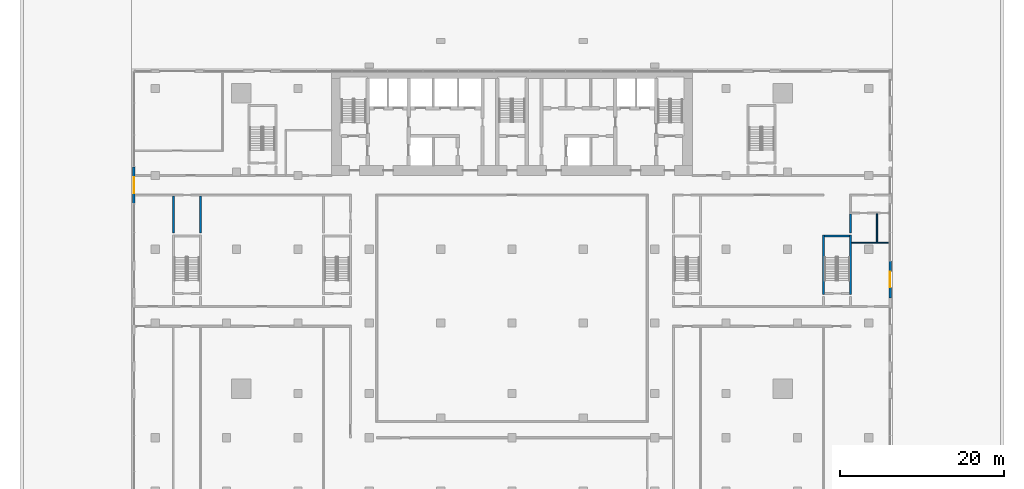
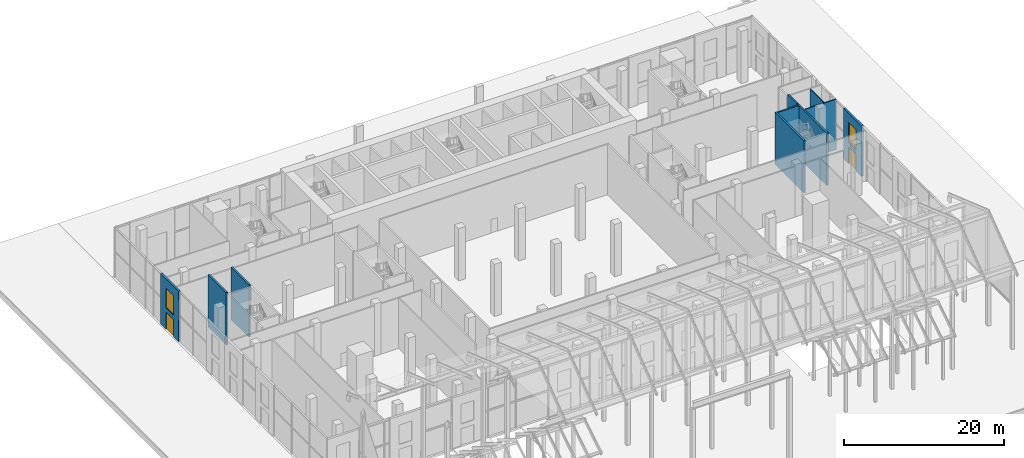
# One storey, part 23 of 31: 10 walls, 2 doors, 2 windows, 4 openings.
"""IFC4 building model written with IfcOpenShell, lengths in metres."""

from ifc_helpers import new_model, si_unit, direction, frame, frame_2d, origin, place, context, subcontext, project, spatial, rectangle, extrude, material, layer, layer_set, layer_usage, type_object, element, fill, save


model = new_model("IFC4")

# Units and contexts
model_context = context("Model", 3, precision=1e-05, world=origin(), true_north=direction((0.0, 1.0)))
body_context = subcontext(model_context, "Body", "Model", "MODEL_VIEW")
ifc_project = project(units=[si_unit("LENGTHUNIT", "METRE"), si_unit("AREAUNIT", "SQUARE_METRE"), si_unit("VOLUMEUNIT", "CUBIC_METRE"), si_unit("PLANEANGLEUNIT", "RADIAN"), si_unit("MASSUNIT", "GRAM", prefix="KILO")], contexts=[model_context])

# Site, building, storey
site_placement = place(None, origin())
site = spatial("IfcSite", under=ifc_project, at=site_placement, CompositionType="ELEMENT")
building_placement = place(site_placement, origin())
building = spatial("IfcBuilding", under=site, at=building_placement, Name="Bicima Exchange Tower", CompositionType="ELEMENT")
storey_placement = place(building_placement, origin())
storey = spatial("IfcBuildingStorey", under=building, at=storey_placement, Name="L00", CompositionType="ELEMENT", Elevation=0.0)

# Wall, openings, window, door
ifc_material_1 = material(Name="Concrete C40/50", Category="concrete")
ifc_layer_1 = layer(ifc_material_1, 0.3)
ifc_layer_set_1 = layer_set([ifc_layer_1], Name="Concrete C40/50")
ifc_layer_usage = layer_usage(ifc_layer_set_1, "AXIS2", "POSITIVE", -0.15)
wall_type_1 = type_object("IfcWallType", Name="Entrance frame wall 300", PredefinedType="STANDARD", material=ifc_layer_set_1)
wall_1_placement = place(storey_placement, frame((46.10009765625, -23.449951171875, 0.0), z_axis=(0.0, 0.0, 1.0), x_axis=(0.0, -1.0, 0.0)))
wall_1 = element("IfcWall", 1, at=wall_1_placement, inside=storey, type_object=wall_type_1, material=ifc_layer_usage, Name="Entrance frame wall L00 east 5", PredefinedType="STANDARD", context=body_context, shape_type="SweptSolid", body=[
    extrude(rectangle(XDim=4.5, YDim=0.300048828125, at=frame_2d((2.25, 0.0))), origin(), (0.0, 0.0, 1.0), 7.699951171875),
])
opening_1_placement = place(wall_1_placement, frame((1.300048828125, 0.0, 0.0)))
opening_1 = element("IfcOpeningElement", 2, at=opening_1_placement, cuts=wall_1, Name="Opening DX2", PredefinedType="OPENING", context=body_context, shape_type="SweptSolid", body=[
    extrude(rectangle(XDim=1.89990234375, YDim=2.60009765625, at=frame_2d((0.949951171875, 1.300048828125))), frame((0.0, 0.162109375, 0.0), z_axis=(0.0, -1.0, 0.0), x_axis=(1.0, 0.0, 0.0)), (0.0, 0.0, 1.0), 0.323974609375),
])
opening_2_placement = place(wall_1_placement, frame((1.300048828125, 0.0, 3.300048828125)))
opening_2 = element("IfcOpeningElement", 3, at=opening_2_placement, cuts=wall_1, Name="Opening WX1", PredefinedType="OPENING", context=body_context, shape_type="SweptSolid", body=[
    extrude(rectangle(XDim=1.89990234375, YDim=3.0, at=frame_2d((0.949951171875, 1.5))), frame((0.0, 0.162109375, 0.0), z_axis=(0.0, -1.0, 0.0), x_axis=(1.0, 0.0, 0.0)), (0.0, 0.0, 1.0), 0.323974609375),
])
ifc_material_2 = material(Name="Clear low-iron glass", Category="glass")
window_type = type_object("IfcWindowType", Name="Entrance transom light 1900 x 3000", PartitioningType="SINGLE_PANEL", PredefinedType="WINDOW", material=ifc_material_2)
window_1_placement = place(opening_2_placement, origin())
window_1 = element("IfcWindow", 4, at=window_1_placement, inside=storey, type_object=window_type, Name="Entrance transom light L00 east 5", OverallHeight=3.0, OverallWidth=1.89990234375, PartitioningType="SINGLE_PANEL", PredefinedType="WINDOW", context=body_context, shape_type="SweptSolid", body=[
    extrude(rectangle(XDim=1.89990234375, YDim=3.0, at=frame_2d((0.949951171875, 1.5))), frame((0.0, 0.030029296875, 0.0), z_axis=(0.0, -1.0, 0.0), x_axis=(1.0, 0.0, 0.0)), (0.0, 0.0, 1.0), 0.06005859375),
])
fill(opening_2, window_1)
ifc_material_3 = material(Name="Anodised bronze aluminium and bonded safety glass", Category="aluminium")
door_type = type_object("IfcDoorType", Name="Exit door, double leaf 1900 x 2600", OperationType="DOUBLE_DOOR_DOUBLE_SWING", PredefinedType="DOOR", material=ifc_material_3)
door_1_placement = place(opening_1_placement, origin())
door_1 = element("IfcDoor", 5, at=door_1_placement, inside=storey, type_object=door_type, Name="Exit door L00 east 5", OperationType="SINGLE_SWING_LEFT", OverallHeight=2.60009765625, OverallWidth=1.89990234375, PredefinedType="DOOR", context=body_context, shape_type="SweptSolid", body=[
    extrude(rectangle(XDim=1.89990234375, YDim=2.60009765625, at=frame_2d((0.949951171875, 1.300048828125))), frame((0.0, 0.02490234375, 0.0), z_axis=(0.0, -1.0, 0.0), x_axis=(1.0, 0.0, 0.0)), (0.0, 0.0, 1.0), 0.050048828125),
])
fill(opening_1, door_1)

wall_2_placement = place(storey_placement, frame((-46.10009765625, -16.449951171875, 0.0), z_axis=(0.0, 0.0, 1.0), x_axis=(0.0, 1.0, 0.0)))
wall_2 = element("IfcWall", 6, at=wall_2_placement, inside=storey, type_object=wall_type_1, material=ifc_layer_usage, Name="Entrance frame wall L00 west 2", PredefinedType="STANDARD", context=body_context, shape_type="SweptSolid", body=[
    extrude(rectangle(XDim=4.5, YDim=0.300048828125, at=frame_2d((2.25, 0.0))), origin(), (0.0, 0.0, 1.0), 7.699951171875),
])
opening_3_placement = place(wall_2_placement, frame((1.300048828125, 0.0, 0.0)))
opening_3 = element("IfcOpeningElement", 7, at=opening_3_placement, cuts=wall_2, Name="Opening DX2", PredefinedType="OPENING", context=body_context, shape_type="SweptSolid", body=[
    extrude(rectangle(XDim=1.89990234375, YDim=2.60009765625, at=frame_2d((0.949951171875, 1.300048828125))), frame((0.0, 0.162109375, 0.0), z_axis=(0.0, -1.0, 0.0), x_axis=(1.0, 0.0, 0.0)), (0.0, 0.0, 1.0), 0.323974609375),
])
opening_4_placement = place(wall_2_placement, frame((1.300048828125, 0.0, 3.300048828125)))
opening_4 = element("IfcOpeningElement", 8, at=opening_4_placement, cuts=wall_2, Name="Opening WX1", PredefinedType="OPENING", context=body_context, shape_type="SweptSolid", body=[
    extrude(rectangle(XDim=1.89990234375, YDim=3.0, at=frame_2d((0.949951171875, 1.5))), frame((0.0, 0.162109375, 0.0), z_axis=(0.0, -1.0, 0.0), x_axis=(1.0, 0.0, 0.0)), (0.0, 0.0, 1.0), 0.323974609375),
])
window_2_placement = place(opening_4_placement, origin())
window_2 = element("IfcWindow", 9, at=window_2_placement, inside=storey, type_object=window_type, Name="Entrance transom light L00 west 2", OverallHeight=3.0, OverallWidth=1.89990234375, PartitioningType="SINGLE_PANEL", PredefinedType="WINDOW", context=body_context, shape_type="SweptSolid", body=[
    extrude(rectangle(XDim=1.89990234375, YDim=3.0, at=frame_2d((0.949951171875, 1.5))), frame((0.0, 0.030029296875, 0.0), z_axis=(0.0, -1.0, 0.0), x_axis=(1.0, 0.0, 0.0)), (0.0, 0.0, 1.0), 0.06005859375),
])
fill(opening_4, window_2)
door_2_placement = place(opening_3_placement, origin())
door_2 = element("IfcDoor", 10, at=door_2_placement, inside=storey, type_object=door_type, Name="Exit door L00 west 2", OperationType="SINGLE_SWING_LEFT", OverallHeight=2.60009765625, OverallWidth=1.89990234375, PredefinedType="DOOR", context=body_context, shape_type="SweptSolid", body=[
    extrude(rectangle(XDim=1.89990234375, YDim=2.60009765625, at=frame_2d((0.949951171875, 1.300048828125))), frame((0.0, 0.02490234375, 0.0), z_axis=(0.0, -1.0, 0.0), x_axis=(1.0, 0.0, 0.0)), (0.0, 0.0, 1.0), 0.050048828125),
])
fill(opening_3, door_2)

# Walls
ifc_material_4 = material(Name="Gypsum board partition")
ifc_layer_2 = layer(ifc_material_4, 0.14990234375)
ifc_layer_set_2 = layer_set([ifc_layer_2], Name="Gypsum board partition")
wall_type_2 = type_object("IfcWallType", Name="Gypsum partition 150", PredefinedType="PARTITIONING", material=ifc_layer_set_2)
wall_3_placement = place(storey_placement, frame((41.425048828125, -21.199951171875, 0.0), z_axis=(0.0, 0.0, 1.0), x_axis=(1.0, 0.0, 0.0)))
element("IfcWall", 11, at=wall_3_placement, inside=storey, type_object=wall_type_2, Name="partition wall 11", PredefinedType="PARTITIONING", context=body_context, shape_type="SweptSolid", body=[
    extrude(rectangle(XDim=4.764892578125, YDim=0.14990234375, at=frame_2d((2.38232421875, 0.0))), origin(), (0.0, 0.0, 1.0), 7.699951171875),
])
wall_4_placement = place(storey_placement, frame((44.5, -21.125, 0.0), z_axis=(0.0, 0.0, 1.0), x_axis=(0.0, 1.0, 0.0)))
element("IfcWall", 12, at=wall_4_placement, inside=storey, type_object=wall_type_2, Name="partition wall 56", PredefinedType="PARTITIONING", context=body_context, shape_type="SweptSolid", body=[
    extrude(rectangle(XDim=3.425048828125, YDim=0.14990234375, at=frame_2d((1.71240234375, 0.0))), origin(), (0.0, 0.0, 1.0), 7.699951171875),
])
ifc_material_5 = material(Name="Concrete C50/60", Category="concrete")
ifc_layer_3 = layer(ifc_material_5, 0.25)
ifc_layer_set_3 = layer_set([ifc_layer_3], Name="Concrete C50/60")
wall_type_3 = type_object("IfcWallType", Name="RC core wall 250 C50/60", PredefinedType="SHEAR", material=ifc_layer_set_3)
for number, where, z_axis, x_axis, name in (
    (13, (-41.300048828125, -20.050048828125, 0.0), (0.0, 0.0, 1.0), (0.0, 1.0, 0.0), "stair wall 32"),
    (14, (-38.0, -20.050048828125, 0.0), (0.0, 0.0, 1.0), (0.0, 1.0, 0.0), "stair wall 34"),
):
    element("IfcWall", number, at=place(storey_placement, frame(where, z_axis=z_axis, x_axis=x_axis)), inside=storey, type_object=wall_type_3, Name=name, PredefinedType="SHEAR", context=body_context, shape_type="SweptSolid", body=[
        extrude(rectangle(XDim=4.550048828125, YDim=0.25, at=frame_2d((2.27490234375, 0.0))), origin(), (0.0, 0.0, 1.0), 8.0),
    ])
wall_5_placement = place(storey_placement, frame((41.300048828125, -20.050048828125, 0.0), z_axis=(0.0, 0.0, 1.0), x_axis=(0.0, 1.0, 0.0)))
element("IfcWall", 15, at=wall_5_placement, inside=storey, type_object=wall_type_3, Name="stair wall 54", PredefinedType="SHEAR", context=body_context, shape_type="SweptSolid", body=[
    extrude(rectangle(XDim=2.330078125, YDim=0.25, at=frame_2d((1.1650390625, 0.0))), origin(), (0.0, 0.0, 1.0), 8.0),
])
ifc_layer_4 = layer(ifc_material_5, 0.25)
ifc_layer_set_4 = layer_set([ifc_layer_4], Name="Concrete C50/60")
wall_type_4 = type_object("IfcWallType", Name="RC stair enclosure wall 250 C50/60", PredefinedType="SHEAR", material=ifc_layer_set_4)
for number, where, z_axis, x_axis, name in (
    (16, (38.0, -27.52490234375, 0.0), (0.0, 0.0, 1.0), (0.0, 1.0, 0.0), "Podium east stair wall W"),
    (17, (41.300048828125, -27.52490234375, 0.0), (0.0, 0.0, 1.0), (0.0, 1.0, 0.0), "Podium east stair wall E"),
):
    element("IfcWall", number, at=place(storey_placement, frame(where, z_axis=z_axis, x_axis=x_axis)), inside=storey, type_object=wall_type_4, Name=name, PredefinedType="SHEAR", context=body_context, shape_type="SweptSolid", body=[
        extrude(rectangle(XDim=7.25, YDim=0.25, at=frame_2d((3.625, 0.0))), origin(), (0.0, 0.0, 1.0), 8.0),
    ])
wall_6_placement = place(storey_placement, frame((38.125, -20.39990234375, 0.0), z_axis=(0.0, 0.0, 1.0), x_axis=(1.0, 0.0, 0.0)))
element("IfcWall", 18, at=wall_6_placement, inside=storey, type_object=wall_type_4, Name="Podium east stair wall N", PredefinedType="SHEAR", context=body_context, shape_type="SweptSolid", body=[
    extrude(rectangle(XDim=3.050048828125, YDim=0.25, at=frame_2d((1.52490234375, 0.0))), origin(), (0.0, 0.0, 1.0), 8.0),
])

save(model, "model.ifc")
